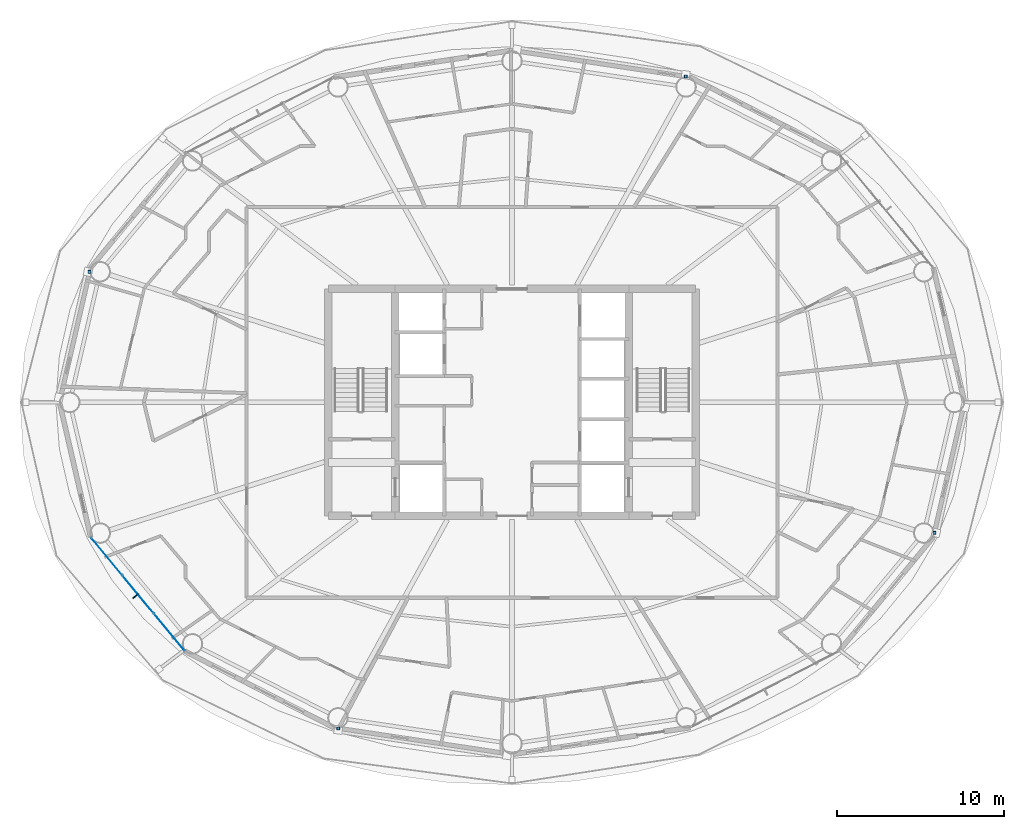
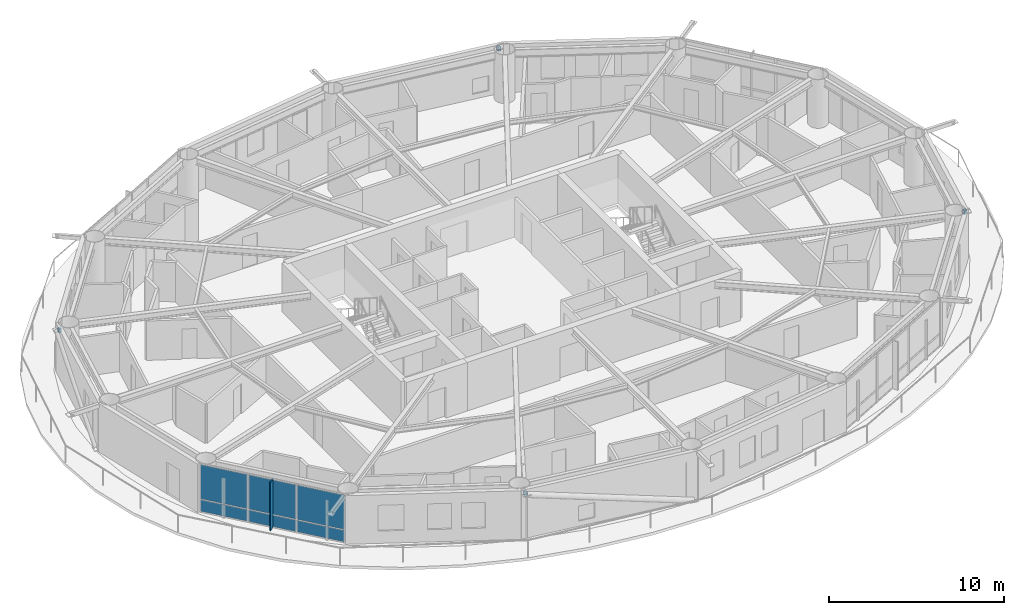
# One storey, part 16 of 27: 7 plates, 4 members, 1 element without a shape of its own.
"""IFC4 building model written with IfcOpenShell, lengths in metres."""

from ifc_helpers import new_model, si_unit, direction, frame, origin, origin_2d, place, context, subcontext, project, spatial, rectangle, hollow_rectangle, extrude, material, layer, layer_set, material_profile, profile_set, type_object, element, aggregate, save


model = new_model("IFC4")

# Units and contexts
model_context = context("Model", 3, precision=1e-05, world=origin(), true_north=direction((0.0, 1.0)))
body_context = subcontext(model_context, "Body", "Model", "MODEL_VIEW")
ifc_project = project(units=[si_unit("LENGTHUNIT", "METRE"), si_unit("AREAUNIT", "SQUARE_METRE"), si_unit("VOLUMEUNIT", "CUBIC_METRE"), si_unit("PLANEANGLEUNIT", "RADIAN"), si_unit("MASSUNIT", "GRAM", prefix="KILO")], contexts=[model_context])

# Site, building, storey
site_placement = place(None, origin())
site = spatial("IfcSite", under=ifc_project, at=site_placement, CompositionType="ELEMENT")
building_placement = place(site_placement, origin())
building = spatial("IfcBuilding", under=site, at=building_placement, Name="Sarneth Arch Tower", CompositionType="ELEMENT")
storey_placement = place(building_placement, frame((0.0, 0.0, 193.800048828125)))
storey = spatial("IfcBuildingStorey", under=building, at=storey_placement, Name="L49", CompositionType="ELEMENT", Elevation=193.800048828125)

# Members
ifc_material_1 = material(Name="Steel S355", Category="steel")
ifc_material_profile = material_profile(ifc_material_1, hollow_rectangle(XDim=0.199951171875, YDim=0.300048828125, WallThickness=0.012451171875, InnerFilletRadius=0.018798828125, OuterFilletRadius=0.03125, at=origin_2d()), Name="RHS300x200x12.5")
ifc_profile_set = profile_set([ifc_material_profile], Name="Steel S355")
member_type = type_object("IfcMemberType", Name="MEM-CANT-STRUT", PredefinedType="STRUT", material=ifc_profile_set)
member_1_placement = place(storey_placement, frame((58.40869140625, 61.43310546875, 3.050537109375), z_axis=(-0.024482455341, 0.999700259768, 0.0), x_axis=(-0.999700259768, -0.024482455341, 0.0)))
element("IfcMember", 1, at=member_1_placement, inside=storey, type_object=member_type, Name="L49 Exoskeleton brace node strut 04B", PredefinedType="STRUT", context=body_context, shape_type="SweptSolid", body=[
    extrude(hollow_rectangle(XDim=0.199951171875, YDim=0.300048828125, WallThickness=0.012451171875, InnerFilletRadius=0.018798828125, OuterFilletRadius=0.03125, at=origin_2d()), origin(), (0.0, 0.0, 1.0), 0.179443359375),
])
member_2_placement = place(storey_placement, frame((22.7978515625, 49.81640625, 3.050537109375), z_axis=(-0.999835179989, -0.018155243216, 0.0), x_axis=(0.018155243216, -0.999835179989, 0.0)))
element("IfcMember", 2, at=member_2_placement, inside=storey, type_object=member_type, Name="L49 Exoskeleton brace node strut 08B", PredefinedType="STRUT", context=body_context, shape_type="SweptSolid", body=[
    extrude(hollow_rectangle(XDim=0.199951171875, YDim=0.300048828125, WallThickness=0.012451171875, InnerFilletRadius=0.018798828125, OuterFilletRadius=0.03125, at=origin_2d()), origin(), (0.0, 0.0, 1.0), 0.188232421875),
])
member_3_placement = place(storey_placement, frame((37.59130859375, 22.56689453125, 3.050537109375), z_axis=(0.024482455341, -0.999700259768, 0.0), x_axis=(0.999700259768, 0.024482455341, 0.0)))
element("IfcMember", 3, at=member_3_placement, inside=storey, type_object=member_type, Name="L49 Exoskeleton brace node strut 12B", PredefinedType="STRUT", context=body_context, shape_type="SweptSolid", body=[
    extrude(hollow_rectangle(XDim=0.199951171875, YDim=0.300048828125, WallThickness=0.012451171875, InnerFilletRadius=0.018798828125, OuterFilletRadius=0.03125, at=origin_2d()), origin(), (0.0, 0.0, 1.0), 0.179443359375),
])
member_4_placement = place(storey_placement, frame((73.2021484375, 34.18359375, 3.050537109375), z_axis=(0.999835179989, 0.018155243216, 0.0), x_axis=(-0.018155243216, 0.999835179989, 0.0)))
element("IfcMember", 4, at=member_4_placement, inside=storey, type_object=member_type, Name="L49 Exoskeleton brace node strut 16B", PredefinedType="STRUT", context=body_context, shape_type="SweptSolid", body=[
    extrude(hollow_rectangle(XDim=0.199951171875, YDim=0.300048828125, WallThickness=0.012451171875, InnerFilletRadius=0.018798828125, OuterFilletRadius=0.03125, at=origin_2d()), origin(), (0.0, 0.0, 1.0), 0.188232421875),
])

# Curtain wall, plates
ifc_material_2 = material(Name="Anodised aluminium Type AA25 and solar-control low-e laminated IGU", Category="aluminium")
ifc_layer_1 = layer(ifc_material_2, 0.169921875)
ifc_layer_set_1 = layer_set([ifc_layer_1], Name="Anodised aluminium Type AA25 and solar-control low-e laminated IGU")
curtain_wall_type = type_object("IfcCurtainWallType", Name="CW-RES-MID", PredefinedType="NOTDEFINED", material=ifc_layer_set_1)
curtain_wall_placement = place(storey_placement, origin())
curtain_wall = element("IfcCurtainWall", 5, at=curtain_wall_placement, inside=storey, type_object=curtain_wall_type, Name="L49 Unitised curtain wall facet 10", PredefinedType="NOTDEFINED")
ifc_material_3 = material(Name="Solar-control low-e laminated IGU", Category="glass")
ifc_layer_2 = layer(ifc_material_3, 0.028076171875)
ifc_layer_set_2 = layer_set([ifc_layer_2], Name="Solar-control low-e laminated IGU")
plate_type_1 = type_object("IfcPlateType", Name="CW-PANEL", PredefinedType="CURTAIN_PANEL", material=ifc_layer_set_2)
plate_1_placement = place(storey_placement, frame((23.719970703125, 32.78173828125, 0.059814453125), z_axis=(0.0, 0.0, 1.0), x_axis=(0.637330298558, -0.770590741276, 0.0)))
plate_1 = element("IfcPlate", 6, at=plate_1_placement, type_object=plate_type_1, Name="Curtain wall glazed vision pane CW-L49-F10/P00-00", PredefinedType="CURTAIN_PANEL", context=body_context, shape_type="SweptSolid", body=[
    extrude(rectangle(XDim=2.8681640625, YDim=0.028076171875, at=origin_2d()), origin(), (0.0, 0.0, 1.0), 0.81005859375),
])
plate_2_placement = place(storey_placement, frame((23.719970703125, 32.78173828125, 0.93017578125), z_axis=(0.0, 0.0, 1.0), x_axis=(0.637330298558, -0.770590741276, 0.0)))
plate_2 = element("IfcPlate", 7, at=plate_2_placement, type_object=plate_type_1, Name="Curtain wall glazed vision pane CW-L49-F10/P00-01", PredefinedType="CURTAIN_PANEL", context=body_context, shape_type="SweptSolid", body=[
    extrude(rectangle(XDim=2.8681640625, YDim=0.028076171875, at=origin_2d()), origin(), (0.0, 0.0, 1.0), 2.389892578125),
])
plate_3_placement = place(storey_placement, frame((25.595703125, 30.513671875, 0.059814453125), z_axis=(0.0, 0.0, 1.0), x_axis=(0.637330298558, -0.770590741276, 0.0)))
plate_3 = element("IfcPlate", 8, at=plate_3_placement, type_object=plate_type_1, Name="Curtain wall glazed vision pane CW-L49-F10/P01-00", PredefinedType="CURTAIN_PANEL", context=body_context, shape_type="SweptSolid", body=[
    extrude(rectangle(XDim=2.898193359375, YDim=0.028076171875, at=origin_2d()), origin(), (0.0, 0.0, 1.0), 0.81005859375),
])
plate_4_placement = place(storey_placement, frame((25.595703125, 30.513671875, 0.93017578125), z_axis=(0.0, 0.0, 1.0), x_axis=(0.637330298558, -0.770590741276, 0.0)))
plate_4 = element("IfcPlate", 9, at=plate_4_placement, type_object=plate_type_1, Name="Curtain wall glazed vision pane CW-L49-F10/P01-01", PredefinedType="CURTAIN_PANEL", context=body_context, shape_type="SweptSolid", body=[
    extrude(rectangle(XDim=2.898193359375, YDim=0.028076171875, at=origin_2d()), origin(), (0.0, 0.0, 1.0), 2.389892578125),
])
plate_5_placement = place(storey_placement, frame((27.4716796875, 28.24560546875, 0.059814453125), z_axis=(0.0, 0.0, 1.0), x_axis=(0.637330298558, -0.770590741276, 0.0)))
plate_5 = element("IfcPlate", 10, at=plate_5_placement, type_object=plate_type_1, Name="Curtain wall glazed vision pane CW-L49-F10/P02-00", PredefinedType="CURTAIN_PANEL", context=body_context, shape_type="SweptSolid", body=[
    extrude(rectangle(XDim=2.8681640625, YDim=0.028076171875, at=origin_2d()), origin(), (0.0, 0.0, 1.0), 0.81005859375),
])
plate_6_placement = place(storey_placement, frame((27.4716796875, 28.24560546875, 0.93017578125), z_axis=(0.0, 0.0, 1.0), x_axis=(0.637330298558, -0.770590741276, 0.0)))
plate_6 = element("IfcPlate", 11, at=plate_6_placement, type_object=plate_type_1, Name="Curtain wall glazed vision pane CW-L49-F10/P02-01", PredefinedType="CURTAIN_PANEL", context=body_context, shape_type="SweptSolid", body=[
    extrude(rectangle(XDim=2.8681640625, YDim=0.028076171875, at=origin_2d()), origin(), (0.0, 0.0, 1.0), 2.389892578125),
])
aggregate(curtain_wall, [plate_1, plate_2, plate_3, plate_4, plate_5, plate_6])

# Plate
ifc_material_4 = material(Name="Extruded glazed terracotta baguette fin on Aluminium 6063-T6 carrier", Category="masonry")
ifc_layer_3 = layer(ifc_material_4, 0.080078125)
ifc_layer_set_3 = layer_set([ifc_layer_3], Name="Extruded glazed terracotta baguette fin on Aluminium 6063-T6 carrier")
plate_type_2 = type_object("IfcPlateType", Name="SHADE-TERRA-FIN", PredefinedType="SHEET", material=ifc_layer_set_3)
plate_7_placement = place(storey_placement, frame((25.46484375, 30.4052734375, 0.009765625), z_axis=(0.0, 0.0, 1.0), x_axis=(-0.770624482513, -0.637289500111, 0.0)))
element("IfcPlate", 12, at=plate_7_placement, inside=storey, type_object=plate_type_2, Name="L49 Terracotta vertical shading fin 10", PredefinedType="SHEET", context=body_context, shape_type="SweptSolid", body=[
    extrude(rectangle(XDim=0.419921875, YDim=0.080078125, at=origin_2d()), origin(), (0.0, 0.0, 1.0), 3.360107421875),
])

save(model, "model.ifc")
